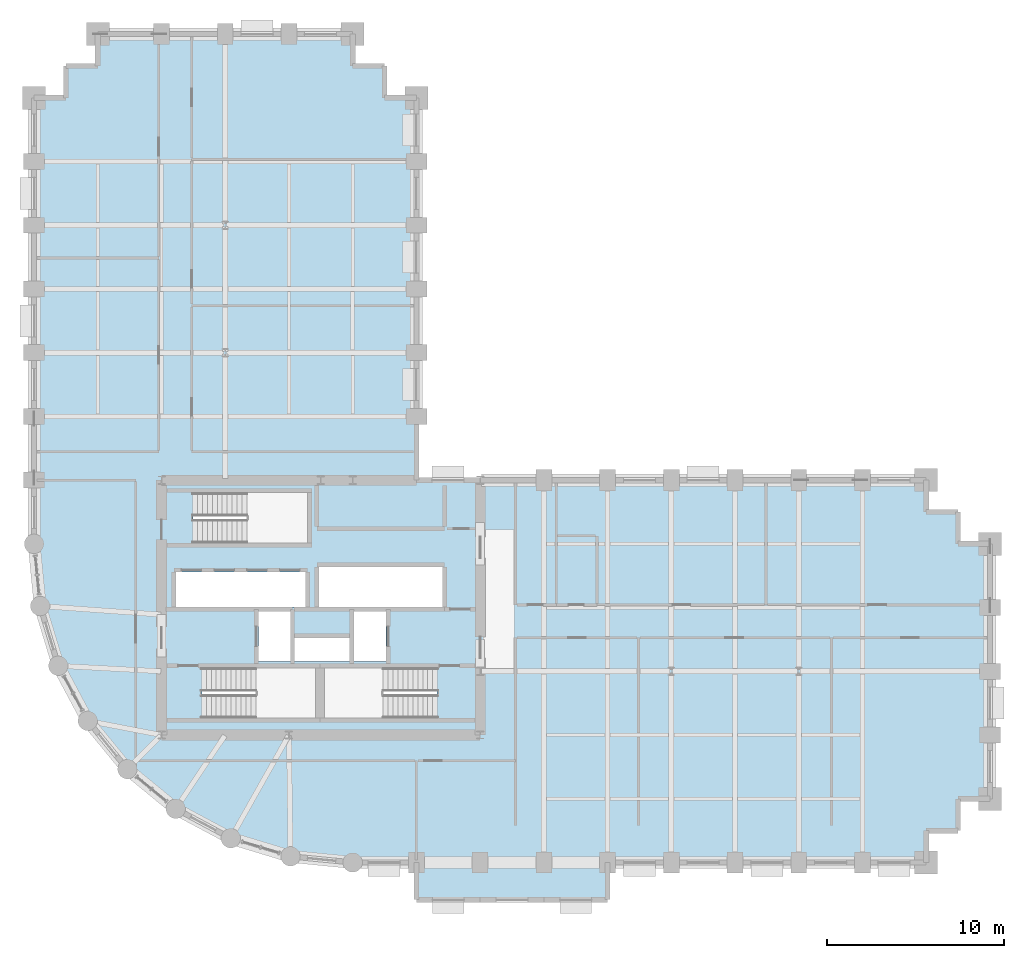
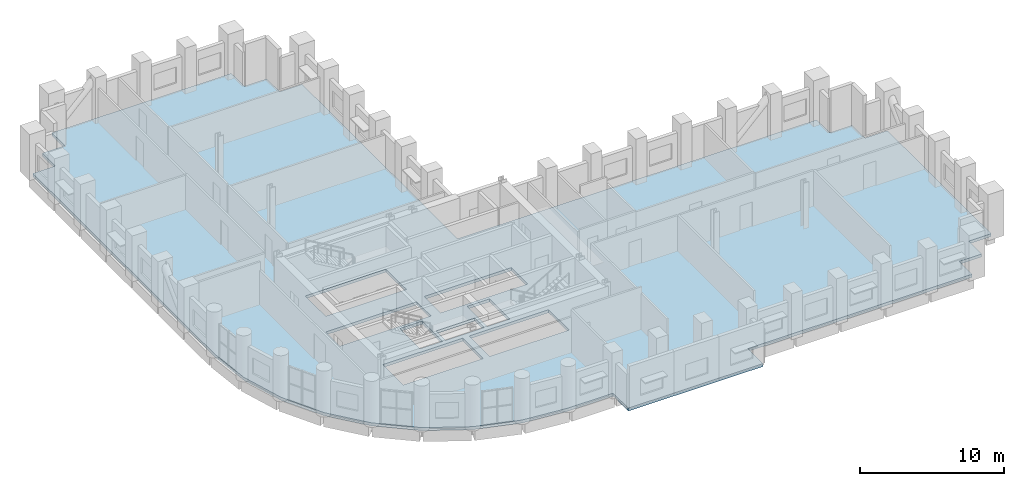
# One storey, part 7 of 14: 1 slab.
"""IFC4 building model written with IfcOpenShell, lengths in metres."""

from ifc_helpers import new_model, si_unit, direction, frame, origin, place, context, subcontext, project, spatial, polyline, outline, extrude, material, layer, layer_set, type_object, element, save


model = new_model("IFC4")

# Units and contexts
model_context = context("Model", 3, precision=1e-05, world=origin(), true_north=direction((0.0, 1.0)))
body_context = subcontext(model_context, "Body", "Model", "MODEL_VIEW")
ifc_project = project(units=[si_unit("LENGTHUNIT", "METRE"), si_unit("AREAUNIT", "SQUARE_METRE"), si_unit("VOLUMEUNIT", "CUBIC_METRE"), si_unit("PLANEANGLEUNIT", "RADIAN"), si_unit("MASSUNIT", "GRAM", prefix="KILO")], contexts=[model_context])

# Site, building, storey
site_placement = place(None, origin())
site = spatial("IfcSite", under=ifc_project, at=site_placement, CompositionType="ELEMENT")
building_placement = place(site_placement, origin())
building = spatial("IfcBuilding", under=site, at=building_placement, Name="Solnavia Interchange Tower", CompositionType="ELEMENT")
storey_placement = place(building_placement, frame((0.0, 0.0, 63.0)))
storey = spatial("IfcBuildingStorey", under=building, at=storey_placement, Name="L15", CompositionType="ELEMENT", Elevation=63.0)

# Slab
ifc_material = material(Name="Concrete C40/50", Category="concrete")
ifc_layer = layer(ifc_material, 0.25)
ifc_layer_set = layer_set([ifc_layer], Name="Concrete C40/50")
slab_type = type_object("IfcSlabType", Name="Slab-Tower-250", PredefinedType="FLOOR", material=ifc_layer_set)
slab_placement = place(storey_placement, frame((0.0, 0.0, -0.25)))
element("IfcSlab", 1, at=slab_placement, inside=storey, type_object=slab_type, Name="SLB-L15-01 Structural floor slab", PredefinedType="FLOOR", context=body_context, shape_type="SweptSolid", body=[
    extrude(outline(polyline([(25.199951171875, 3.60009765625), (28.800048828125, 3.60009765625), (28.800048828125, 1.5), (39.60009765625, 1.5), (39.60009765625, 3.60009765625), (57.60009765625, 3.60009765625), (57.60009765625, 5.39990234375), (59.39990234375, 5.39990234375), (59.39990234375, 7.199951171875), (61.199951171875, 7.199951171875), (61.199951171875, 21.60009765625), (59.39990234375, 21.60009765625), (59.39990234375, 23.39990234375), (57.60009765625, 23.39990234375), (57.60009765625, 25.199951171875), (28.800048828125, 25.199951171875), (28.800048828125, 46.800048828125), (27.0, 46.800048828125), (27.0, 48.60009765625), (25.199951171875, 48.60009765625), (25.199951171875, 50.39990234375), (10.800048828125, 50.39990234375), (10.800048828125, 48.60009765625), (9.0, 48.60009765625), (9.0, 46.800048828125), (7.199951171875, 46.800048828125), (7.199951171875, 21.60009765625), (7.5458984375, 18.087890625), (8.570068359375, 14.7119140625), (10.23388671875, 11.60009765625), (12.471923828125, 8.8720703125), (15.199951171875, 6.634033203125), (18.31201171875, 4.969970703125), (21.68798828125, 3.946044921875), (25.199951171875, 3.60009765625)]), holes=[polyline([(16.675048828125, 11.75), (23.10009765625, 11.75), (23.10009765625, 14.590087890625), (16.675048828125, 14.590087890625), (16.675048828125, 11.75)]), polyline([(23.60009765625, 11.75), (29.97509765625, 11.75), (29.97509765625, 14.590087890625), (23.60009765625, 14.590087890625), (23.60009765625, 11.75)]), polyline([(16.175048828125, 21.64990234375), (22.64990234375, 21.64990234375), (22.64990234375, 24.489990234375), (16.175048828125, 24.489990234375), (16.175048828125, 21.64990234375)]), polyline([(19.8798828125, 14.9599609375), (21.679931640625, 14.9599609375), (21.679931640625, 17.780029296875), (19.8798828125, 17.780029296875), (19.8798828125, 14.9599609375)]), polyline([(25.280029296875, 14.9599609375), (27.080078125, 14.9599609375), (27.080078125, 17.780029296875), (25.280029296875, 17.780029296875), (25.280029296875, 14.9599609375)]), polyline([(21.919921875, 14.9599609375), (25.02001953125, 14.9599609375), (25.02001953125, 16.280029296875), (21.919921875, 16.280029296875), (21.919921875, 14.9599609375)]), polyline([(15.219970703125, 18.02001953125), (22.52001953125, 18.02001953125), (22.52001953125, 20.0), (15.219970703125, 20.0), (15.219970703125, 18.02001953125)]), polyline([(23.300048828125, 18.02001953125), (30.280029296875, 18.02001953125), (30.280029296875, 20.300048828125), (23.300048828125, 20.300048828125), (23.300048828125, 18.02001953125)])]), origin(), (0.0, 0.0, 1.0), 0.25),
])

save(model, "model.ifc")
